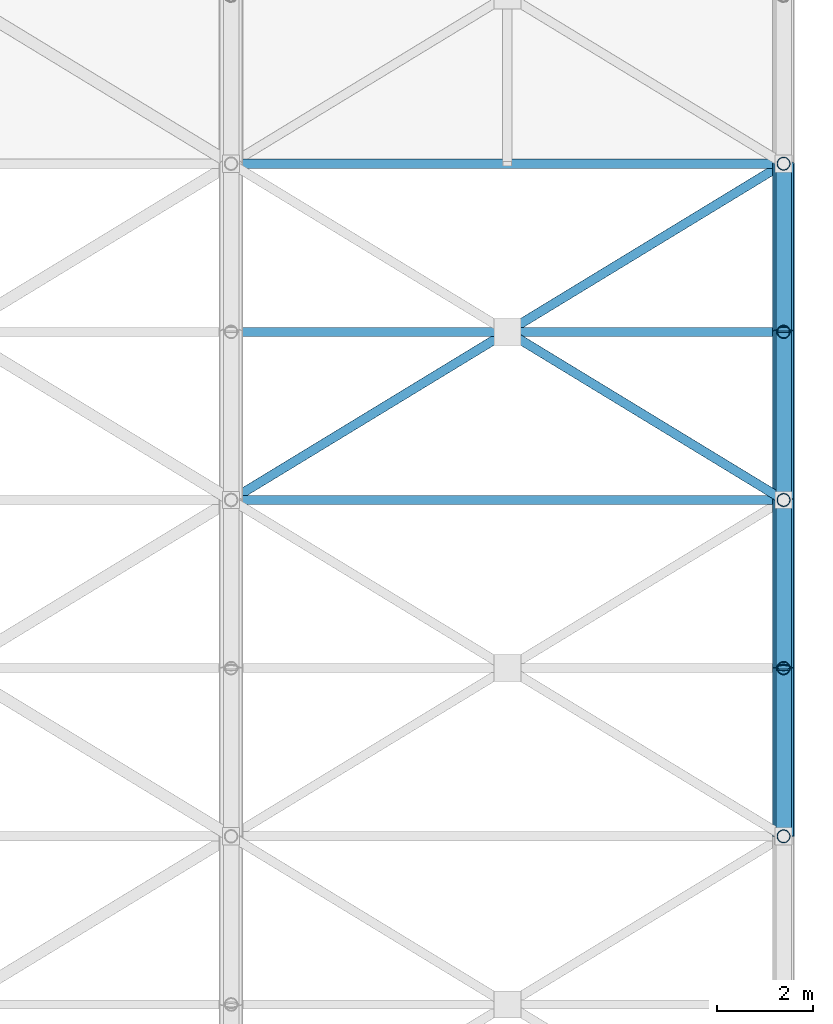
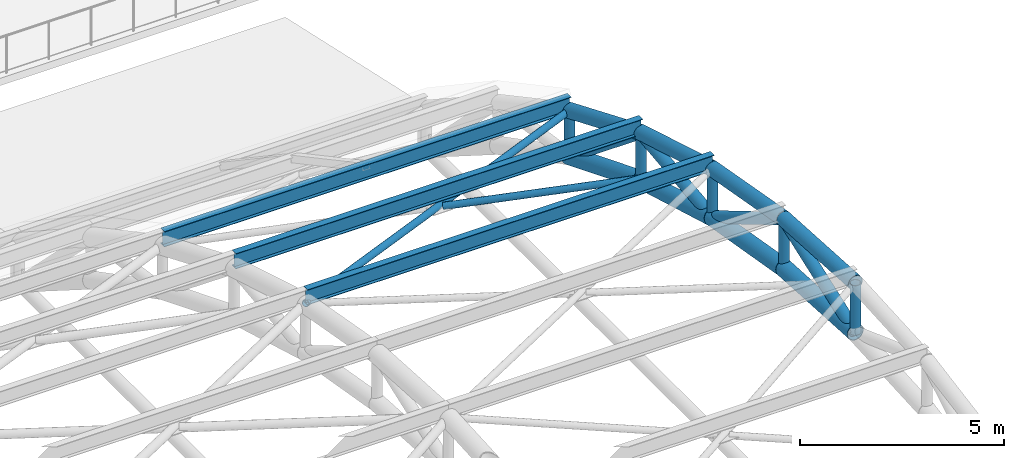
# One storey, part 110 of 154: 22 members.
"""IFC4 building model written with IfcOpenShell, lengths in metres."""

from ifc_helpers import new_model, si_unit, direction, frame, origin, origin_2d, place, context, subcontext, project, spatial, hollow_circle, i_section, extrude, material, material_profile, profile_set, type_object, element, save


model = new_model("IFC4")

# Units and contexts
model_context = context("Model", 3, precision=1e-05, world=origin(), true_north=direction((0.0, 1.0)))
body_context = subcontext(model_context, "Body", "Model", "MODEL_VIEW")
ifc_project = project(units=[si_unit("LENGTHUNIT", "METRE"), si_unit("AREAUNIT", "SQUARE_METRE"), si_unit("VOLUMEUNIT", "CUBIC_METRE"), si_unit("PLANEANGLEUNIT", "RADIAN"), si_unit("MASSUNIT", "GRAM", prefix="KILO")], contexts=[model_context])

# Site, building, storey
site_placement = place(None, origin())
site = spatial("IfcSite", under=ifc_project, at=site_placement, CompositionType="ELEMENT")
building_placement = place(site_placement, origin())
building = spatial("IfcBuilding", under=site, at=building_placement, Name="Ologun Quay Terminus", CompositionType="ELEMENT")
storey_placement = place(building_placement, frame((0.0, 0.0, 13.800048828125)))
storey = spatial("IfcBuildingStorey", under=building, at=storey_placement, Name="L03", CompositionType="ELEMENT", Elevation=13.800048828125)

# Members
ifc_material_1 = material(Name="Steel S355", Category="steel")
ifc_material_profile_1 = material_profile(ifc_material_1, hollow_circle(Radius=0.136474609375, WallThickness=0.010009765625, at=origin_2d()), Name="CHS 273x10")
ifc_profile_set_1 = profile_set([ifc_material_profile_1], Name="Steel S355")
member_type_1 = type_object("IfcMemberType", Name="Arch Truss Vertical Post CHS273", PredefinedType="STRUT", material=ifc_profile_set_1)
member_1_placement = place(storey_placement, frame((184.0, 57.0, 7.239990234375), z_axis=(0.0, 0.0, 1.0), x_axis=(1.0, 0.0, 0.0)))
element("IfcMember", 1, at=member_1_placement, inside=storey, type_object=member_type_1, Name="AW2 Arch Web Post 17-N6", PredefinedType="STRUT", context=body_context, shape_type="SweptSolid", body=[
    extrude(hollow_circle(Radius=0.136474609375, WallThickness=0.010009765625, at=origin_2d()), origin(), (0.0, 0.0, 1.0), 1.47998046875),
])
member_2_placement = place(storey_placement, frame((184.0, 60.5, 7.038818359375), z_axis=(0.0, 0.0, 1.0), x_axis=(1.0, 0.0, 0.0)))
element("IfcMember", 2, at=member_2_placement, inside=storey, type_object=member_type_1, Name="AW2 Arch Web Post 17-N7", PredefinedType="STRUT", context=body_context, shape_type="SweptSolid", body=[
    extrude(hollow_circle(Radius=0.136474609375, WallThickness=0.010009765625, at=origin_2d()), origin(), (0.0, 0.0, 1.0), 1.47216796875),
])
member_3_placement = place(storey_placement, frame((184.0, 64.0, 6.435546875), z_axis=(0.0, 0.0, 1.0), x_axis=(1.0, 0.0, 0.0)))
element("IfcMember", 3, at=member_3_placement, inside=storey, type_object=member_type_1, Name="AW2 Arch Web Post 17-N8", PredefinedType="STRUT", context=body_context, shape_type="SweptSolid", body=[
    extrude(hollow_circle(Radius=0.136474609375, WallThickness=0.010009765625, at=origin_2d()), origin(), (0.0, 0.0, 1.0), 1.44873046875),
])
member_4_placement = place(storey_placement, frame((184.0, 67.5, 5.429931640625), z_axis=(0.0, 0.0, 1.0), x_axis=(1.0, 0.0, 0.0)))
element("IfcMember", 4, at=member_4_placement, inside=storey, type_object=member_type_1, Name="AW2 Arch Web Post 17-N9", PredefinedType="STRUT", context=body_context, shape_type="SweptSolid", body=[
    extrude(hollow_circle(Radius=0.136474609375, WallThickness=0.010009765625, at=origin_2d()), origin(), (0.0, 0.0, 1.0), 1.409912109375),
])
member_5_placement = place(storey_placement, frame((184.0, 71.0, 4.022216796875), z_axis=(0.0, 0.0, 1.0), x_axis=(1.0, 0.0, 0.0)))
element("IfcMember", 5, at=member_5_placement, inside=storey, type_object=member_type_1, Name="AW2 Arch Web Post 17-N10", PredefinedType="STRUT", context=body_context, shape_type="SweptSolid", body=[
    extrude(hollow_circle(Radius=0.136474609375, WallThickness=0.010009765625, at=origin_2d()), origin(), (0.0, 0.0, 1.0), 1.35546875),
])
ifc_material_2 = material(Name="Steel S355", Category="steel")
ifc_material_profile_2 = material_profile(ifc_material_2, hollow_circle(Radius=0.161865234375, WallThickness=0.010009765625, at=origin_2d()), Name="CHS 323.9x10")
ifc_profile_set_2 = profile_set([ifc_material_profile_2], Name="Steel S355")
member_type_2 = type_object("IfcMemberType", Name="Arch Truss Web Diagonal CHS323", PredefinedType="BRACE", material=ifc_profile_set_2)
member_6_placement = place(storey_placement, frame((184.0, 57.0, 7.239990234375), z_axis=(0.0, 0.939942650142, 0.34133241048), x_axis=(-1.0, 0.0, 0.0)))
element("IfcMember", 6, at=member_6_placement, inside=storey, type_object=member_type_2, Name="AW1 Arch Web Diagonal 17-P7", PredefinedType="BRACE", context=body_context, shape_type="SweptSolid", body=[
    extrude(hollow_circle(Radius=0.161865234375, WallThickness=0.010009765625, at=origin_2d()), origin(), (0.0, 0.0, 1.0), 3.7236328125),
])
member_7_placement = place(storey_placement, frame((184.0, 60.5, 8.510986328125), z_axis=(0.0, 0.860144332958, -0.510050709715), x_axis=(-1.0, 0.0, 0.0)))
element("IfcMember", 7, at=member_7_placement, inside=storey, type_object=member_type_2, Name="AW1 Arch Web Diagonal 17-P8", PredefinedType="BRACE", context=body_context, shape_type="SweptSolid", body=[
    extrude(hollow_circle(Radius=0.161865234375, WallThickness=0.010009765625, at=origin_2d()), origin(), (0.0, 0.0, 1.0), 4.069091796875),
])
member_8_placement = place(storey_placement, frame((184.0, 64.0, 6.435546875), z_axis=(0.0, 0.993394361, 0.114750353084), x_axis=(-1.0, 0.0, 0.0)))
element("IfcMember", 8, at=member_8_placement, inside=storey, type_object=member_type_2, Name="AW1 Arch Web Diagonal 17-P9", PredefinedType="BRACE", context=body_context, shape_type="SweptSolid", body=[
    extrude(hollow_circle(Radius=0.161865234375, WallThickness=0.010009765625, at=origin_2d()), origin(), (0.0, 0.0, 1.0), 3.523193359375),
])
member_9_placement = place(storey_placement, frame((184.0, 67.5, 6.83984375), z_axis=(0.0, 0.77895148125, -0.627084196785), x_axis=(-1.0, 0.0, 0.0)))
element("IfcMember", 9, at=member_9_placement, inside=storey, type_object=member_type_2, Name="AW1 Arch Web Diagonal 17-P10", PredefinedType="BRACE", context=body_context, shape_type="SweptSolid", body=[
    extrude(hollow_circle(Radius=0.161865234375, WallThickness=0.010009765625, at=origin_2d()), origin(), (0.0, 0.0, 1.0), 4.4931640625),
])
ifc_material_3 = material(Name="Steel S355", Category="steel")
ifc_material_profile_3 = material_profile(ifc_material_3, hollow_circle(Radius=0.203125, WallThickness=0.012451171875, at=origin_2d()), Name="CHS 406.4x12.5")
ifc_profile_set_3 = profile_set([ifc_material_profile_3], Name="Steel S355")
member_type_3 = type_object("IfcMemberType", Name="Gable End Arch Chord CHS406", PredefinedType="CHORD", material=ifc_profile_set_3)
member_10_placement = place(storey_placement, frame((184.0, 57.0, 8.719970703125), z_axis=(0.0, 0.998222121157, -0.0596036646), x_axis=(-1.0, 0.0, 0.0)))
element("IfcMember", 10, at=member_10_placement, inside=storey, type_object=member_type_3, Name="Arch Top Chord 17-P7", PredefinedType="CHORD", context=body_context, shape_type="SweptSolid", body=[
    extrude(hollow_circle(Radius=0.203125, WallThickness=0.012451171875, at=origin_2d()), origin(), (0.0, 0.0, 1.0), 3.50634765625),
])
member_11_placement = place(storey_placement, frame((184.0, 60.5, 8.510986328125), z_axis=(0.0, 0.984344289591, -0.176256402859), x_axis=(-1.0, 0.0, 0.0)))
element("IfcMember", 11, at=member_11_placement, inside=storey, type_object=member_type_3, Name="Arch Top Chord 17-P8", PredefinedType="CHORD", context=body_context, shape_type="SweptSolid", body=[
    extrude(hollow_circle(Radius=0.203125, WallThickness=0.012451171875, at=origin_2d()), origin(), (0.0, 0.0, 1.0), 3.5556640625),
])
member_12_placement = place(storey_placement, frame((184.0, 64.0, 7.88427734375), z_axis=(0.0, 0.958244712677, -0.285949419701), x_axis=(-1.0, 0.0, 0.0)))
element("IfcMember", 12, at=member_12_placement, inside=storey, type_object=member_type_3, Name="Arch Top Chord 17-P9", PredefinedType="CHORD", context=body_context, shape_type="SweptSolid", body=[
    extrude(hollow_circle(Radius=0.203125, WallThickness=0.012451171875, at=origin_2d()), origin(), (0.0, 0.0, 1.0), 3.652587890625),
])
member_13_placement = place(storey_placement, frame((184.0, 67.5, 6.83984375), z_axis=(0.0, 0.922718523726, -0.385474416755), x_axis=(-1.0, 0.0, 0.0)))
element("IfcMember", 13, at=member_13_placement, inside=storey, type_object=member_type_3, Name="Arch Top Chord 17-P10", PredefinedType="CHORD", context=body_context, shape_type="SweptSolid", body=[
    extrude(hollow_circle(Radius=0.203125, WallThickness=0.012451171875, at=origin_2d()), origin(), (0.0, 0.0, 1.0), 3.793212890625),
])
ifc_material_4 = material(Name="Steel S355", Category="steel")
ifc_material_profile_4 = material_profile(ifc_material_4, hollow_circle(Radius=0.096923828125, WallThickness=0.00634765625, at=origin_2d()), Name="CHS 193.7x6.3")
ifc_profile_set_4 = profile_set([ifc_material_profile_4], Name="Steel S355")
member_type_4 = type_object("IfcMemberType", Name="Gable Portal Wind Brace CHS193", PredefinedType="BRACE", material=ifc_profile_set_4)
member_14_placement = place(storey_placement, frame((172.5, 64.0, 7.88427734375), z_axis=(0.83976735311, 0.511162736676, -0.18303947466), x_axis=(-0.519946946896, 0.854198555614, 0.0)))
element("IfcMember", 14, at=member_14_placement, inside=storey, type_object=member_type_4, Name="Roof Wind Brace A B16-K8", PredefinedType="BRACE", context=body_context, shape_type="SweptSolid", body=[
    extrude(hollow_circle(Radius=0.096923828125, WallThickness=0.00634765625, at=origin_2d()), origin(), (0.0, 0.0, 1.0), 13.6943359375),
])
member_15_placement = place(storey_placement, frame((178.36767578125, 67.428466796875, 6.65673828125), z_axis=(0.839763706767, -0.511174760907, 0.183022623217), x_axis=(0.519957518446, 0.854192120668, 0.0)))
element("IfcMember", 15, at=member_15_placement, inside=storey, type_object=member_type_4, Name="Roof Wind Brace B2 B16-K8", PredefinedType="BRACE", context=body_context, shape_type="SweptSolid", body=[
    extrude(hollow_circle(Radius=0.096923828125, WallThickness=0.00634765625, at=origin_2d()), origin(), (0.0, 0.0, 1.0), 6.70703125),
])
ifc_material_5 = material(Name="Steel S355", Category="steel")
ifc_material_profile_5 = material_profile(ifc_material_5, hollow_circle(Radius=0.228515625, WallThickness=0.01611328125, at=origin_2d()), Name="CHS 457x16")
ifc_profile_set_5 = profile_set([ifc_material_profile_5], Name="Steel S355")
member_type_5 = type_object("IfcMemberType", Name="Parabolic Arch Bottom Chord CHS457", PredefinedType="CHORD", material=ifc_profile_set_5)
member_16_placement = place(storey_placement, frame((184.0, 57.0, 7.239990234375), z_axis=(0.0, 0.998352239869, -0.057382969144), x_axis=(-1.0, 0.0, 0.0)))
element("IfcMember", 16, at=member_16_placement, inside=storey, type_object=member_type_5, Name="AC2 Arch Bottom Chord 17-P7", PredefinedType="CHORD", context=body_context, shape_type="SweptSolid", body=[
    extrude(hollow_circle(Radius=0.228515625, WallThickness=0.01611328125, at=origin_2d()), origin(), (0.0, 0.0, 1.0), 3.505859375),
])
member_17_placement = place(storey_placement, frame((184.0, 60.5, 7.038818359375), z_axis=(0.0, 0.985468449185, -0.16985857547), x_axis=(-1.0, 0.0, 0.0)))
element("IfcMember", 17, at=member_17_placement, inside=storey, type_object=member_type_5, Name="AC2 Arch Bottom Chord 17-P8", PredefinedType="CHORD", context=body_context, shape_type="SweptSolid", body=[
    extrude(hollow_circle(Radius=0.228515625, WallThickness=0.01611328125, at=origin_2d()), origin(), (0.0, 0.0, 1.0), 3.551513671875),
])
member_18_placement = place(storey_placement, frame((184.0, 64.0, 6.435546875), z_axis=(0.0, 0.961115578425, -0.276146419331), x_axis=(-1.0, 0.0, 0.0)))
element("IfcMember", 18, at=member_18_placement, inside=storey, type_object=member_type_5, Name="AC2 Arch Bottom Chord 17-P9", PredefinedType="CHORD", context=body_context, shape_type="SweptSolid", body=[
    extrude(hollow_circle(Radius=0.228515625, WallThickness=0.01611328125, at=origin_2d()), origin(), (0.0, 0.0, 1.0), 3.6416015625),
])
member_19_placement = place(storey_placement, frame((184.0, 67.5, 5.429931640625), z_axis=(0.0, 0.92776983497, -0.373152962363), x_axis=(-1.0, 0.0, 0.0)))
element("IfcMember", 19, at=member_19_placement, inside=storey, type_object=member_type_5, Name="AC2 Arch Bottom Chord 17-P10", PredefinedType="CHORD", context=body_context, shape_type="SweptSolid", body=[
    extrude(hollow_circle(Radius=0.228515625, WallThickness=0.01611328125, at=origin_2d()), origin(), (0.0, 0.0, 1.0), 3.7724609375),
])
ifc_material_6 = material(Name="Steel S355", Category="steel")
ifc_material_profile_6 = material_profile(ifc_material_6, i_section(OverallWidth=0.1904296875, OverallDepth=0.45703125, WebThickness=0.009033203125, FlangeThickness=0.014404296875, at=origin_2d()), Name="UKB 457x191x74")
ifc_profile_set_6 = profile_set([ifc_material_profile_6], Name="Steel S355")
member_type_6 = type_object("IfcMemberType", Name="Train Shed Primary Roof Purlin UKB457", PredefinedType="PURLIN", material=ifc_profile_set_6)
for number, where, z_axis, x_axis, name in (
    (20, (172.5, 64.0, 8.11279296875), (1.0, 0.0, 0.0), (0.0, 1.0, 0.0), "PR1 Roof Purlin B16-N8"),
    (21, (172.5, 67.5, 7.068359375), (1.0, 0.0, 0.0), (0.0, 1.0, 0.0), "PR1 Roof Purlin B16-N9"),
    (22, (172.5, 71.0, 5.606201171875), (1.0, 0.0, 0.0), (0.0, 1.0, 0.0), "PR1 Roof Purlin B16-N10"),
):
    element("IfcMember", number, at=place(storey_placement, frame(where, z_axis=z_axis, x_axis=x_axis)), inside=storey, type_object=member_type_6, Name=name, PredefinedType="PURLIN", context=body_context, shape_type="SweptSolid", body=[
        extrude(i_section(OverallWidth=0.1904296875, OverallDepth=0.45703125, WebThickness=0.009033203125, FlangeThickness=0.014404296875, at=origin_2d()), origin(), (0.0, 0.0, 1.0), 11.5),
    ])

save(model, "model.ifc")
